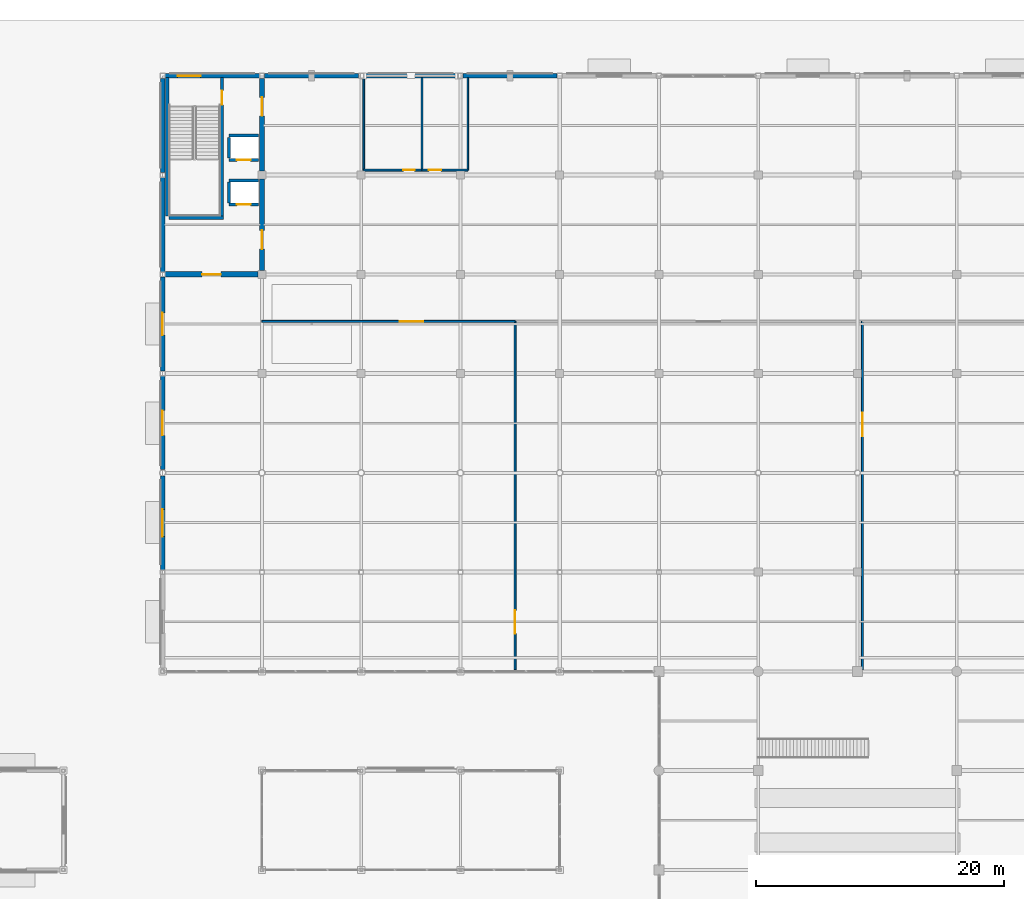
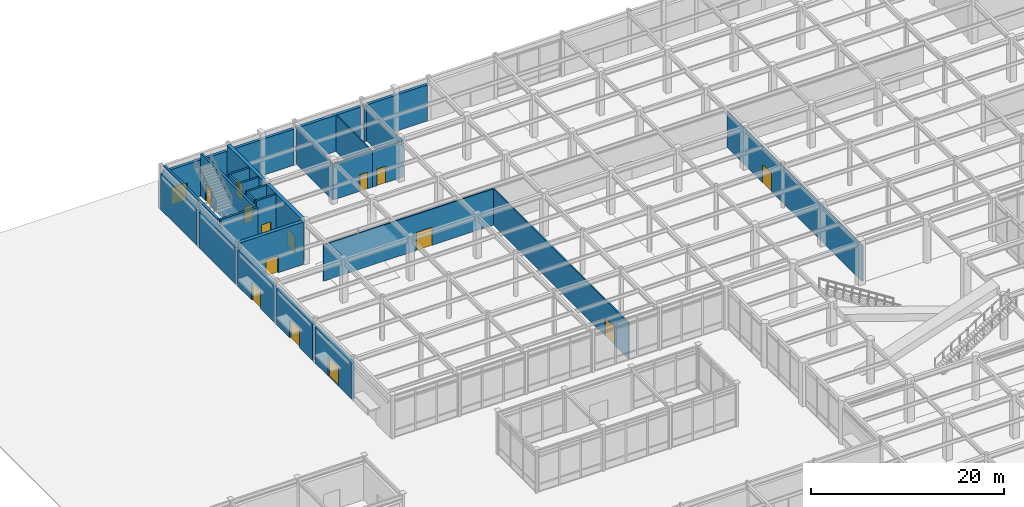
# One storey, part 104 of 128: 29 walls, 15 doors, 15 openings.
"""IFC4 building model written with IfcOpenShell, lengths in metres."""

from ifc_helpers import new_model, si_unit, direction, frame, frame_2d, origin, place, context, subcontext, project, spatial, rectangle, extrude, material, layer, layer_set, type_object, element, fill, save


model = new_model("IFC4")

# Units and contexts
model_context = context("Model", 3, precision=1e-05, world=origin(), true_north=direction((0.0, 1.0)))
body_context = subcontext(model_context, "Body", "Model", "MODEL_VIEW")
ifc_project = project(units=[si_unit("LENGTHUNIT", "METRE"), si_unit("AREAUNIT", "SQUARE_METRE"), si_unit("VOLUMEUNIT", "CUBIC_METRE"), si_unit("PLANEANGLEUNIT", "RADIAN"), si_unit("MASSUNIT", "GRAM", prefix="KILO")], contexts=[model_context])

# Site, building, storey
site_placement = place(None, origin())
site = spatial("IfcSite", under=ifc_project, at=site_placement, CompositionType="ELEMENT")
building_placement = place(site_placement, origin())
building = spatial("IfcBuilding", under=site, at=building_placement, Name="Solmirada Galleria", CompositionType="ELEMENT")
storey_placement = place(building_placement, origin())
storey = spatial("IfcBuildingStorey", under=building, at=storey_placement, Name="L00", CompositionType="ELEMENT", Elevation=0.0)

# Wall, opening, door
ifc_material_1 = material(Name="Concrete C40/50", Category="concrete")
ifc_layer_1 = layer(ifc_material_1, 0.419921875)
ifc_layer_set_1 = layer_set([ifc_layer_1], Name="Concrete C40/50")
wall_type_1 = type_object("IfcWallType", Name="WL-CORE-420", PredefinedType="SHEAR", material=ifc_layer_set_1)
wall_1_placement = place(storey_placement, frame((40.202880859375, 104.0, 0.0), z_axis=(0.0, 0.0, 1.0), x_axis=(1.0, 0.0, 0.0)))
wall_1 = element("IfcWall", 1, at=wall_1_placement, inside=storey, type_object=wall_type_1, Name="Core C1 shear wall L00 S1", PredefinedType="SHEAR", context=body_context, shape_type="SweptSolid", body=[
    extrude(rectangle(XDim=7.47216796875, YDim=0.419921875, at=frame_2d((3.736083984375, 0.0))), origin(), (0.0, 0.0, 1.0), 5.3798828125),
])
opening_1_placement = place(wall_1_placement, frame((2.986083984375, 0.0, 0.0)))
opening_1 = element("IfcOpeningElement", 2, at=opening_1_placement, cuts=wall_1, Name="Opening LDY-106", PredefinedType="OPENING", context=body_context, shape_type="SweptSolid", body=[
    extrude(rectangle(XDim=1.5, YDim=2.14990234375, at=frame_2d((0.75, 1.074951171875))), frame((0.0, 0.219970703125, 0.0), z_axis=(0.0, -1.0, 0.0), x_axis=(1.0, 0.0, 0.0)), (0.0, 0.0, 1.0), 0.43994140625),
])
ifc_material_2 = material(Name="Fire-rated painted steel door assembly", Category="steel")
door_type_1 = type_object("IfcDoorType", Name="DR-LOBBY-150X215", OperationType="DOUBLE_DOOR_SINGLE_SWING", PredefinedType="DOOR", material=ifc_material_2)
door_1_placement = place(opening_1_placement, origin())
door_1 = element("IfcDoor", 3, at=door_1_placement, inside=storey, type_object=door_type_1, Name="Core C1 lobby access fire door LDY-106", OperationType="DOUBLE_DOOR_SINGLE_SWING", OverallHeight=2.14990234375, OverallWidth=1.5, PredefinedType="DOOR", context=body_context, shape_type="SweptSolid", body=[
    extrude(rectangle(XDim=1.5, YDim=2.14990234375, at=frame_2d((0.75, 1.074951171875))), frame((0.0, 0.02490234375, 0.0), z_axis=(0.0, -1.0, 0.0), x_axis=(1.0, 0.0, 0.0)), (0.0, 0.0, 1.0), 0.050048828125),
])
fill(opening_1, door_1)

wall_2_placement = place(storey_placement, frame((48.0, 104.324951171875, 0.0), z_axis=(0.0, 0.0, 1.0), x_axis=(0.0, 1.0, 0.0)))
wall_2 = element("IfcWall", 4, at=wall_2_placement, inside=storey, type_object=wall_type_1, Name="Core C1 shear wall L00 E1", PredefinedType="SHEAR", context=body_context, shape_type="SweptSolid", body=[
    extrude(rectangle(XDim=7.35009765625, YDim=0.419921875, at=frame_2d((3.675048828125, 0.0))), origin(), (0.0, 0.0, 1.0), 5.3798828125),
])
opening_2_placement = place(wall_2_placement, frame((1.7119140625, 0.0, 0.0)))
opening_2 = element("IfcOpeningElement", 5, at=opening_2_placement, cuts=wall_2, Name="Opening LDY-107", PredefinedType="OPENING", context=body_context, shape_type="SweptSolid", body=[
    extrude(rectangle(XDim=1.5, YDim=2.14990234375, at=frame_2d((0.75, 1.074951171875))), frame((0.0, 0.219970703125, 0.0), z_axis=(0.0, -1.0, 0.0), x_axis=(1.0, 0.0, 0.0)), (0.0, 0.0, 1.0), 0.43994140625),
])
door_2_placement = place(opening_2_placement, origin())
door_2 = element("IfcDoor", 6, at=door_2_placement, inside=storey, type_object=door_type_1, Name="Core C1 lobby access fire door LDY-107", OperationType="DOUBLE_DOOR_SINGLE_SWING", OverallHeight=2.14990234375, OverallWidth=1.5, PredefinedType="DOOR", context=body_context, shape_type="SweptSolid", body=[
    extrude(rectangle(XDim=1.5, YDim=2.14990234375, at=frame_2d((0.75, 1.074951171875))), frame((0.0, 0.02490234375, 0.0), z_axis=(0.0, -1.0, 0.0), x_axis=(1.0, 0.0, 0.0)), (0.0, 0.0, 1.0), 0.050048828125),
])
fill(opening_2, door_2)

wall_3_placement = place(storey_placement, frame((48.0, 112.324951171875, 0.0), z_axis=(0.0, 0.0, 1.0), x_axis=(0.0, 1.0, 0.0)))
wall_3 = element("IfcWall", 7, at=wall_3_placement, inside=storey, type_object=wall_type_1, Name="Core C1 shear wall L00 E2", PredefinedType="SHEAR", context=body_context, shape_type="SweptSolid", body=[
    extrude(rectangle(XDim=7.47216796875, YDim=0.419921875, at=frame_2d((3.736083984375, 0.0))), origin(), (0.0, 0.0, 1.0), 5.3798828125),
])
opening_3_placement = place(wall_3_placement, frame((4.447998046875, 0.0, 0.0)))
opening_3 = element("IfcOpeningElement", 8, at=opening_3_placement, cuts=wall_3, Name="Opening LDY-108", PredefinedType="OPENING", context=body_context, shape_type="SweptSolid", body=[
    extrude(rectangle(XDim=1.5, YDim=2.14990234375, at=frame_2d((0.75, 1.074951171875))), frame((0.0, 0.219970703125, 0.0), z_axis=(0.0, -1.0, 0.0), x_axis=(1.0, 0.0, 0.0)), (0.0, 0.0, 1.0), 0.43994140625),
])
door_3_placement = place(opening_3_placement, origin())
door_3 = element("IfcDoor", 9, at=door_3_placement, inside=storey, type_object=door_type_1, Name="Core C1 lobby access fire door LDY-108", OperationType="DOUBLE_DOOR_SINGLE_SWING", OverallHeight=2.14990234375, OverallWidth=1.5, PredefinedType="DOOR", context=body_context, shape_type="SweptSolid", body=[
    extrude(rectangle(XDim=1.5, YDim=2.14990234375, at=frame_2d((0.75, 1.074951171875))), frame((0.0, 0.02490234375, 0.0), z_axis=(0.0, -1.0, 0.0), x_axis=(1.0, 0.0, 0.0)), (0.0, 0.0, 1.0), 0.050048828125),
])
fill(opening_3, door_3)

ifc_material_3 = material(Name="Precast concrete C40/50", Category="concrete")
ifc_layer_2 = layer(ifc_material_3, 0.340087890625)
ifc_layer_set_2 = layer_set([ifc_layer_2], Name="Precast concrete C40/50")
wall_type_2 = type_object("IfcWallType", Name="WL-EXT-340", PredefinedType="STANDARD", material=ifc_layer_set_2)
wall_4_placement = place(storey_placement, frame((40.0, 80.177978515625, 0.0), z_axis=(0.0, 0.0, 1.0), x_axis=(0.0, 1.0, 0.0)))
wall_4 = element("IfcWall", 10, at=wall_4_placement, inside=storey, type_object=wall_type_2, Name="Exterior wall L00 bay 011", PredefinedType="STANDARD", context=body_context, shape_type="SweptSolid", body=[
    extrude(rectangle(XDim=7.568115234375, YDim=0.340087890625, at=frame_2d((3.7841796875, 0.0))), origin(), (0.0, 0.0, 1.0), 4.580078125),
])
opening_4_placement = place(wall_4_placement, frame((2.68408203125, 0.0, 0.0)))
opening_4 = element("IfcOpeningElement", 11, at=opening_4_placement, cuts=wall_4, Name="Opening ED-003", PredefinedType="OPENING", context=body_context, shape_type="SweptSolid", body=[
    extrude(rectangle(XDim=2.199951171875, YDim=2.449951171875, at=frame_2d((1.10009765625, 1.22509765625))), frame((0.0, 0.179931640625, 0.0), z_axis=(0.0, -1.0, 0.0), x_axis=(1.0, 0.0, 0.0)), (0.0, 0.0, 1.0), 0.360107421875),
])
ifc_material_4 = material(Name="Thermally broken aluminium and laminated glass door", Category="aluminium")
door_type_2 = type_object("IfcDoorType", Name="DR-ENT-220X245", OperationType="DOUBLE_DOOR_SINGLE_SWING", PredefinedType="DOOR", material=ifc_material_4)
door_4_placement = place(opening_4_placement, origin())
door_4 = element("IfcDoor", 12, at=door_4_placement, inside=storey, type_object=door_type_2, Name="Public avenue entrance door ED-003", OperationType="DOUBLE_DOOR_SINGLE_SWING", OverallHeight=2.449951171875, OverallWidth=2.199951171875, PredefinedType="DOOR", context=body_context, shape_type="SweptSolid", body=[
    extrude(rectangle(XDim=2.199951171875, YDim=2.449951171875, at=frame_2d((1.10009765625, 1.22509765625))), frame((0.0, 0.02490234375, 0.0), z_axis=(0.0, -1.0, 0.0), x_axis=(1.0, 0.0, 0.0)), (0.0, 0.0, 1.0), 0.050048828125),
])
fill(opening_4, door_4)

wall_5_placement = place(storey_placement, frame((40.0, 88.25390625, 0.0), z_axis=(0.0, 0.0, 1.0), x_axis=(0.0, 1.0, 0.0)))
wall_5 = element("IfcWall", 13, at=wall_5_placement, inside=storey, type_object=wall_type_2, Name="Exterior wall L00 bay 012", PredefinedType="STANDARD", context=body_context, shape_type="SweptSolid", body=[
    extrude(rectangle(XDim=7.543212890625, YDim=0.340087890625, at=frame_2d((3.771484375, 0.0))), origin(), (0.0, 0.0, 1.0), 4.580078125),
])
opening_5_placement = place(wall_5_placement, frame((2.77099609375, 0.0, 0.0)))
opening_5 = element("IfcOpeningElement", 14, at=opening_5_placement, cuts=wall_5, Name="Opening ED-004", PredefinedType="OPENING", context=body_context, shape_type="SweptSolid", body=[
    extrude(rectangle(XDim=2.0, YDim=2.35009765625, at=frame_2d((1.0, 1.175048828125))), frame((0.0, 0.179931640625, 0.0), z_axis=(0.0, -1.0, 0.0), x_axis=(1.0, 0.0, 0.0)), (0.0, 0.0, 1.0), 0.360107421875),
])
door_type_3 = type_object("IfcDoorType", Name="DR-ENT-200X235", OperationType="DOUBLE_DOOR_SINGLE_SWING", PredefinedType="DOOR", material=ifc_material_4)
door_5_placement = place(opening_5_placement, origin())
door_5 = element("IfcDoor", 15, at=door_5_placement, inside=storey, type_object=door_type_3, Name="Public avenue entrance door ED-004", OperationType="DOUBLE_DOOR_SINGLE_SWING", OverallHeight=2.35009765625, OverallWidth=2.0, PredefinedType="DOOR", context=body_context, shape_type="SweptSolid", body=[
    extrude(rectangle(XDim=2.0, YDim=2.35009765625, at=frame_2d((1.0, 1.175048828125))), frame((0.0, 0.02490234375, 0.0), z_axis=(0.0, -1.0, 0.0), x_axis=(1.0, 0.0, 0.0)), (0.0, 0.0, 1.0), 0.050048828125),
])
fill(opening_5, door_5)

wall_6_placement = place(storey_placement, frame((40.0, 96.202880859375, 0.0), z_axis=(0.0, 0.0, 1.0), x_axis=(0.0, 1.0, 0.0)))
wall_6 = element("IfcWall", 16, at=wall_6_placement, inside=storey, type_object=wall_type_2, Name="Exterior wall L00 bay 013", PredefinedType="STANDARD", context=body_context, shape_type="SweptSolid", body=[
    extrude(rectangle(XDim=7.59423828125, YDim=0.340087890625, at=frame_2d((3.797119140625, 0.0))), origin(), (0.0, 0.0, 1.0), 4.580078125),
])
opening_6_placement = place(wall_6_placement, frame((2.89697265625, 0.0, 0.0)))
opening_6 = element("IfcOpeningElement", 17, at=opening_6_placement, cuts=wall_6, Name="Opening ED-005", PredefinedType="OPENING", context=body_context, shape_type="SweptSolid", body=[
    extrude(rectangle(XDim=1.800048828125, YDim=2.300048828125, at=frame_2d((0.89990234375, 1.14990234375))), frame((0.0, 0.179931640625, 0.0), z_axis=(0.0, -1.0, 0.0), x_axis=(1.0, 0.0, 0.0)), (0.0, 0.0, 1.0), 0.360107421875),
])
door_type_4 = type_object("IfcDoorType", Name="DR-ENT-180X230", OperationType="DOUBLE_DOOR_SINGLE_SWING", PredefinedType="DOOR", material=ifc_material_4)
door_6_placement = place(opening_6_placement, origin())
door_6 = element("IfcDoor", 18, at=door_6_placement, inside=storey, type_object=door_type_4, Name="Public avenue entrance door ED-005", OperationType="DOUBLE_DOOR_SINGLE_SWING", OverallHeight=2.300048828125, OverallWidth=1.800048828125, PredefinedType="DOOR", context=body_context, shape_type="SweptSolid", body=[
    extrude(rectangle(XDim=1.800048828125, YDim=2.300048828125, at=frame_2d((0.89990234375, 1.14990234375))), frame((0.0, 0.02490234375, 0.0), z_axis=(0.0, -1.0, 0.0), x_axis=(1.0, 0.0, 0.0)), (0.0, 0.0, 1.0), 0.050048828125),
])
fill(opening_6, door_6)

# Walls
for number, where, z_axis, x_axis, name in (
    (19, (40.0, 104.202880859375, 0.0), (0.0, 0.0, 1.0), (0.0, 1.0, 0.0), "Exterior wall L00 bay 014"),
    (20, (40.0, 112.202880859375, 0.0), (0.0, 0.0, 1.0), (0.0, 1.0, 0.0), "Exterior wall L00 bay 015"),
):
    element("IfcWall", number, at=place(storey_placement, frame(where, z_axis=z_axis, x_axis=x_axis)), inside=storey, type_object=wall_type_2, Name=name, PredefinedType="STANDARD", context=body_context, shape_type="SweptSolid", body=[
        extrude(rectangle(XDim=7.59423828125, YDim=0.340087890625, at=frame_2d((3.797119140625, 0.0))), origin(), (0.0, 0.0, 1.0), 4.580078125),
    ])

# Wall, opening, door
wall_7_placement = place(storey_placement, frame((40.202880859375, 120.0, 0.0), z_axis=(0.0, 0.0, 1.0), x_axis=(1.0, 0.0, 0.0)))
wall_7 = element("IfcWall", 21, at=wall_7_placement, inside=storey, type_object=wall_type_2, Name="Exterior wall L00 bay 016", PredefinedType="STANDARD", context=body_context, shape_type="SweptSolid", body=[
    extrude(rectangle(XDim=7.59423828125, YDim=0.340087890625, at=frame_2d((3.797119140625, 0.0))), origin(), (0.0, 0.0, 1.0), 4.580078125),
])
opening_7_placement = place(wall_7_placement, frame((1.0, 0.0, 0.0)))
opening_7 = element("IfcOpeningElement", 22, at=opening_7_placement, cuts=wall_7, Name="Opening ED-006", PredefinedType="OPENING", context=body_context, shape_type="SweptSolid", body=[
    extrude(rectangle(XDim=1.85009765625, YDim=2.199951171875, at=frame_2d((0.925048828125, 1.10009765625))), frame((0.0, 0.179931640625, 0.0), z_axis=(0.0, -1.0, 0.0), x_axis=(1.0, 0.0, 0.0)), (0.0, 0.0, 1.0), 0.360107421875),
])
ifc_material_5 = material(Name="Painted galvanized steel door assembly", Category="steel")
door_type_5 = type_object("IfcDoorType", Name="DR-EXIT-185X220", OperationType="DOUBLE_DOOR_SINGLE_SWING", PredefinedType="DOOR", material=ifc_material_5)
door_7_placement = place(opening_7_placement, origin())
door_7 = element("IfcDoor", 23, at=door_7_placement, inside=storey, type_object=door_type_5, Name="Exit stair ST1 exterior discharge door ED-006", OperationType="DOUBLE_DOOR_SINGLE_SWING", OverallHeight=2.199951171875, OverallWidth=1.85009765625, PredefinedType="DOOR", context=body_context, shape_type="SweptSolid", body=[
    extrude(rectangle(XDim=1.85009765625, YDim=2.199951171875, at=frame_2d((0.925048828125, 1.10009765625))), frame((0.0, 0.02490234375, 0.0), z_axis=(0.0, -1.0, 0.0), x_axis=(1.0, 0.0, 0.0)), (0.0, 0.0, 1.0), 0.050048828125),
])
fill(opening_7, door_7)

# Walls
for number, where, z_axis, x_axis, name in (
    (24, (48.202880859375, 120.0, 0.0), (0.0, 0.0, 1.0), (1.0, 0.0, 0.0), "Exterior wall L00 bay 017"),
    (25, (64.202880859375, 120.0, 0.0), (0.0, 0.0, 1.0), (1.0, 0.0, 0.0), "Exterior wall L00 bay 019"),
):
    element("IfcWall", number, at=place(storey_placement, frame(where, z_axis=z_axis, x_axis=x_axis)), inside=storey, type_object=wall_type_2, Name=name, PredefinedType="STANDARD", context=body_context, shape_type="SweptSolid", body=[
        extrude(rectangle(XDim=7.59423828125, YDim=0.340087890625, at=frame_2d((3.797119140625, 0.0))), origin(), (0.0, 0.0, 1.0), 4.580078125),
    ])

# Wall, opening, door
ifc_layer_3 = layer(ifc_material_1, 0.239990234375)
ifc_layer_set_3 = layer_set([ifc_layer_3], Name="Concrete C40/50")
wall_type_3 = type_object("IfcWallType", Name="WL-HOIST-240", PredefinedType="PARTITIONING", material=ifc_layer_set_3)
wall_8_placement = place(storey_placement, frame((45.344970703125, 113.219970703125, 0.0), z_axis=(0.0, 0.0, 1.0), x_axis=(1.0, 0.0, 0.0)))
wall_8 = element("IfcWall", 26, at=wall_8_placement, inside=storey, type_object=wall_type_3, Name="Lift LP1 hoistway front wall L00", PredefinedType="PARTITIONING", context=body_context, shape_type="SweptSolid", body=[
    extrude(rectangle(XDim=2.375, YDim=0.239990234375, at=frame_2d((1.1875, 0.0))), origin(), (0.0, 0.0, 1.0), 5.3798828125),
])
opening_8_placement = place(wall_8_placement, frame((0.636962890625, 0.0, 0.0)))
opening_8 = element("IfcOpeningElement", 27, at=opening_8_placement, cuts=wall_8, Name="Opening LD-LP1-L00", PredefinedType="OPENING", context=body_context, shape_type="SweptSolid", body=[
    extrude(rectangle(XDim=1.10009765625, YDim=2.14990234375, at=frame_2d((0.550048828125, 1.074951171875))), frame((0.0, 0.1298828125, 0.0), z_axis=(0.0, -1.0, 0.0), x_axis=(1.0, 0.0, 0.0)), (0.0, 0.0, 1.0), 0.260009765625),
])
ifc_material_6 = material(Name="Brushed stainless-steel sliding landing door", Category="steel")
door_type_6 = type_object("IfcDoorType", Name="DR-LIFT-110X215", OperationType="SLIDING_TO_LEFT", PredefinedType="DOOR", material=ifc_material_6)
door_8_placement = place(opening_8_placement, origin())
door_8 = element("IfcDoor", 28, at=door_8_placement, inside=storey, type_object=door_type_6, Name="Lift LP1 sliding landing door L00", OperationType="SLIDING_TO_LEFT", OverallHeight=2.14990234375, OverallWidth=1.10009765625, PredefinedType="DOOR", context=body_context, shape_type="SweptSolid", body=[
    extrude(rectangle(XDim=1.10009765625, YDim=2.14990234375, at=frame_2d((0.550048828125, 1.074951171875))), frame((0.0, 0.02490234375, 0.0), z_axis=(0.0, -1.0, 0.0), x_axis=(1.0, 0.0, 0.0)), (0.0, 0.0, 1.0), 0.050048828125),
])
fill(opening_8, door_8)

# Walls
wall_9_placement = place(storey_placement, frame((45.344970703125, 115.179931640625, 0.0), z_axis=(0.0, 0.0, 1.0), x_axis=(1.0, 0.0, 0.0)))
element("IfcWall", 29, at=wall_9_placement, inside=storey, type_object=wall_type_3, Name="Lift LP1 hoistway rear wall L00", PredefinedType="PARTITIONING", context=body_context, shape_type="SweptSolid", body=[
    extrude(rectangle(XDim=2.375, YDim=0.239990234375, at=frame_2d((1.1875, 0.0))), origin(), (0.0, 0.0, 1.0), 5.3798828125),
])
wall_10_placement = place(storey_placement, frame((45.344970703125, 113.360107421875, 0.0), z_axis=(0.0, 0.0, 1.0), x_axis=(0.0, 1.0, 0.0)))
element("IfcWall", 30, at=wall_10_placement, inside=storey, type_object=wall_type_3, Name="Lift LP1 hoistway side wall L L00", PredefinedType="PARTITIONING", context=body_context, shape_type="SweptSolid", body=[
    extrude(rectangle(XDim=1.679931640625, YDim=0.239990234375, at=frame_2d((0.83984375, 0.0))), origin(), (0.0, 0.0, 1.0), 5.3798828125),
])

# Wall, opening, door
wall_11_placement = place(storey_placement, frame((45.344970703125, 109.6201171875, 0.0), z_axis=(0.0, 0.0, 1.0), x_axis=(1.0, 0.0, 0.0)))
wall_11 = element("IfcWall", 31, at=wall_11_placement, inside=storey, type_object=wall_type_3, Name="Lift LP2 hoistway front wall L00", PredefinedType="PARTITIONING", context=body_context, shape_type="SweptSolid", body=[
    extrude(rectangle(XDim=2.375, YDim=0.239990234375, at=frame_2d((1.1875, 0.0))), origin(), (0.0, 0.0, 1.0), 5.3798828125),
])
opening_9_placement = place(wall_11_placement, frame((0.636962890625, 0.0, 0.0)))
opening_9 = element("IfcOpeningElement", 32, at=opening_9_placement, cuts=wall_11, Name="Opening LD-LP2-L00", PredefinedType="OPENING", context=body_context, shape_type="SweptSolid", body=[
    extrude(rectangle(XDim=1.10009765625, YDim=2.14990234375, at=frame_2d((0.550048828125, 1.074951171875))), frame((0.0, 0.1298828125, 0.0), z_axis=(0.0, -1.0, 0.0), x_axis=(1.0, 0.0, 0.0)), (0.0, 0.0, 1.0), 0.260009765625),
])
door_9_placement = place(opening_9_placement, origin())
door_9 = element("IfcDoor", 33, at=door_9_placement, inside=storey, type_object=door_type_6, Name="Lift LP2 sliding landing door L00", OperationType="SLIDING_TO_LEFT", OverallHeight=2.14990234375, OverallWidth=1.10009765625, PredefinedType="DOOR", context=body_context, shape_type="SweptSolid", body=[
    extrude(rectangle(XDim=1.10009765625, YDim=2.14990234375, at=frame_2d((0.550048828125, 1.074951171875))), frame((0.0, 0.02490234375, 0.0), z_axis=(0.0, -1.0, 0.0), x_axis=(1.0, 0.0, 0.0)), (0.0, 0.0, 1.0), 0.050048828125),
])
fill(opening_9, door_9)

# Walls
wall_12_placement = place(storey_placement, frame((45.344970703125, 111.580078125, 0.0), z_axis=(0.0, 0.0, 1.0), x_axis=(1.0, 0.0, 0.0)))
element("IfcWall", 34, at=wall_12_placement, inside=storey, type_object=wall_type_3, Name="Lift LP2 hoistway rear wall L00", PredefinedType="PARTITIONING", context=body_context, shape_type="SweptSolid", body=[
    extrude(rectangle(XDim=2.375, YDim=0.239990234375, at=frame_2d((1.1875, 0.0))), origin(), (0.0, 0.0, 1.0), 5.3798828125),
])
wall_13_placement = place(storey_placement, frame((45.344970703125, 109.760009765625, 0.0), z_axis=(0.0, 0.0, 1.0), x_axis=(0.0, 1.0, 0.0)))
element("IfcWall", 35, at=wall_13_placement, inside=storey, type_object=wall_type_3, Name="Lift LP2 hoistway side wall L L00", PredefinedType="PARTITIONING", context=body_context, shape_type="SweptSolid", body=[
    extrude(rectangle(XDim=1.679931640625, YDim=0.239990234375, at=frame_2d((0.83984375, 0.0))), origin(), (0.0, 0.0, 1.0), 5.3798828125),
])
ifc_material_7 = material(Name="Acoustic gypsum board partition")
ifc_layer_4 = layer(ifc_material_7, 0.135009765625)
ifc_layer_set_4 = layer_set([ifc_layer_4], Name="Acoustic gypsum board partition")
wall_type_4 = type_object("IfcWallType", Name="WL-PART-135", PredefinedType="PARTITIONING", material=ifc_layer_set_4)
for number, where, z_axis, x_axis, name in (
    (36, (56.199951171875, 112.39990234375, 0.0), (0.0, 0.0, 1.0), (0.0, 1.0, 0.0), "Partition L00-012 (North WC West)"),
    (37, (60.89990234375, 112.39990234375, 0.0), (0.0, 0.0, 1.0), (0.0, 1.0, 0.0), "Partition L00-013 (North WC Divider)"),
    (38, (64.60009765625, 112.39990234375, 0.0), (0.0, 0.0, 1.0), (0.0, 1.0, 0.0), "Partition L00-014 (North WC East)"),
):
    element("IfcWall", number, at=place(storey_placement, frame(where, z_axis=z_axis, x_axis=x_axis)), inside=storey, type_object=wall_type_4, Name=name, PredefinedType="PARTITIONING", context=body_context, shape_type="SweptSolid", body=[
        extrude(rectangle(XDim=7.4501953125, YDim=0.135009765625, at=frame_2d((3.72509765625, 0.0))), origin(), (0.0, 0.0, 1.0), 4.580078125),
    ])

# Wall, opening, door
ifc_layer_5 = layer(ifc_material_7, 0.159912109375)
ifc_layer_set_5 = layer_set([ifc_layer_5], Name="Acoustic gypsum board partition")
wall_type_5 = type_object("IfcWallType", Name="WL-PART-160", PredefinedType="PARTITIONING", material=ifc_layer_set_5)
wall_14_placement = place(storey_placement, frame((56.199951171875, 112.39990234375, 0.0), z_axis=(0.0, 0.0, 1.0), x_axis=(1.0, 0.0, 0.0)))
wall_14 = element("IfcWall", 39, at=wall_14_placement, inside=storey, type_object=wall_type_5, Name="Partition L00-010 (North Restroom)", PredefinedType="PARTITIONING", context=body_context, shape_type="SweptSolid", body=[
    extrude(rectangle(XDim=4.699951171875, YDim=0.159912109375, at=frame_2d((2.35009765625, 0.0))), origin(), (0.0, 0.0, 1.0), 4.580078125),
])
opening_10_placement = place(wall_14_placement, frame((3.193115234375, 0.0, 0.0)))
opening_10 = element("IfcOpeningElement", 40, at=opening_10_placement, cuts=wall_14, Name="Opening ID-264", PredefinedType="OPENING", context=body_context, shape_type="SweptSolid", body=[
    extrude(rectangle(XDim=0.919921875, YDim=2.10009765625, at=frame_2d((0.4599609375, 1.050048828125))), frame((0.0, 0.08984375, 0.0), z_axis=(0.0, -1.0, 0.0), x_axis=(1.0, 0.0, 0.0)), (0.0, 0.0, 1.0), 0.179931640625),
])
ifc_material_8 = material(Name="Architectural hardwood veneer door", Category="wood")
door_type_7 = type_object("IfcDoorType", Name="DR-WC-092X210", OperationType="NOTDEFINED", PredefinedType="DOOR", material=ifc_material_8)
door_10_placement = place(opening_10_placement, origin())
door_10 = element("IfcDoor", 41, at=door_10_placement, inside=storey, type_object=door_type_7, Name="North Restroom door ID-264", OperationType="SINGLE_SWING_RIGHT", OverallHeight=2.10009765625, OverallWidth=0.919921875, PredefinedType="DOOR", context=body_context, shape_type="SweptSolid", body=[
    extrude(rectangle(XDim=0.919921875, YDim=2.10009765625, at=frame_2d((0.4599609375, 1.050048828125))), frame((0.0, 0.02490234375, 0.0), z_axis=(0.0, -1.0, 0.0), x_axis=(1.0, 0.0, 0.0)), (0.0, 0.0, 1.0), 0.050048828125),
])
fill(opening_10, door_10)

wall_15_placement = place(storey_placement, frame((60.89990234375, 112.39990234375, 0.0), z_axis=(0.0, 0.0, 1.0), x_axis=(1.0, 0.0, 0.0)))
wall_15 = element("IfcWall", 42, at=wall_15_placement, inside=storey, type_object=wall_type_5, Name="Partition L00-011 (North Accessible WC)", PredefinedType="PARTITIONING", context=body_context, shape_type="SweptSolid", body=[
    extrude(rectangle(XDim=3.7001953125, YDim=0.159912109375, at=frame_2d((1.85009765625, 0.0))), origin(), (0.0, 0.0, 1.0), 4.580078125),
])
opening_11_placement = place(wall_15_placement, frame((0.548095703125, 0.0, 0.0)))
opening_11 = element("IfcOpeningElement", 43, at=opening_11_placement, cuts=wall_15, Name="Opening ID-265", PredefinedType="OPENING", context=body_context, shape_type="SweptSolid", body=[
    extrude(rectangle(XDim=1.02001953125, YDim=2.10009765625, at=frame_2d((0.510009765625, 1.050048828125))), frame((0.0, 0.08984375, 0.0), z_axis=(0.0, -1.0, 0.0), x_axis=(1.0, 0.0, 0.0)), (0.0, 0.0, 1.0), 0.179931640625),
])
door_type_8 = type_object("IfcDoorType", Name="DR-AWC-102X210", OperationType="NOTDEFINED", PredefinedType="DOOR", material=ifc_material_8)
door_11_placement = place(opening_11_placement, origin())
door_11 = element("IfcDoor", 44, at=door_11_placement, inside=storey, type_object=door_type_8, Name="North Accessible WC door ID-265", OperationType="SINGLE_SWING_LEFT", OverallHeight=2.10009765625, OverallWidth=1.02001953125, PredefinedType="DOOR", context=body_context, shape_type="SweptSolid", body=[
    extrude(rectangle(XDim=1.02001953125, YDim=2.10009765625, at=frame_2d((0.510009765625, 1.050048828125))), frame((0.0, 0.02490234375, 0.0), z_axis=(0.0, -1.0, 0.0), x_axis=(1.0, 0.0, 0.0)), (0.0, 0.0, 1.0), 0.050048828125),
])
fill(opening_11, door_11)

wall_16_placement = place(storey_placement, frame((48.0, 100.199951171875, 0.0), z_axis=(0.0, 0.0, 1.0), x_axis=(1.0, 0.0, 0.0)))
wall_16 = element("IfcWall", 45, at=wall_16_placement, inside=storey, type_object=wall_type_5, Name="Partition L00-015 (North Promenade W L00)", PredefinedType="PARTITIONING", context=body_context, shape_type="SweptSolid", body=[
    extrude(rectangle(XDim=20.39990234375, YDim=0.159912109375, at=frame_2d((10.199951171875, 0.0))), origin(), (0.0, 0.0, 1.0), 4.580078125),
])
opening_12_placement = place(wall_16_placement, frame((11.091064453125, 0.0, 0.0)))
opening_12 = element("IfcOpeningElement", 46, at=opening_12_placement, cuts=wall_16, Name="Opening ID-266", PredefinedType="OPENING", context=body_context, shape_type="SweptSolid", body=[
    extrude(rectangle(XDim=1.89990234375, YDim=2.300048828125, at=frame_2d((0.949951171875, 1.14990234375))), frame((0.0, 0.08984375, 0.0), z_axis=(0.0, -1.0, 0.0), x_axis=(1.0, 0.0, 0.0)), (0.0, 0.0, 1.0), 0.179931640625),
])
door_type_9 = type_object("IfcDoorType", Name="DR-DEPT-190X230", OperationType="DOUBLE_DOOR_SINGLE_SWING", PredefinedType="DOOR", material=ifc_material_8)
door_12_placement = place(opening_12_placement, origin())
door_12 = element("IfcDoor", 47, at=door_12_placement, inside=storey, type_object=door_type_9, Name="North Promenade W L00 door ID-266", OperationType="DOUBLE_DOOR_SINGLE_SWING", OverallHeight=2.300048828125, OverallWidth=1.89990234375, PredefinedType="DOOR", context=body_context, shape_type="SweptSolid", body=[
    extrude(rectangle(XDim=1.89990234375, YDim=2.300048828125, at=frame_2d((0.949951171875, 1.14990234375))), frame((0.0, 0.02490234375, 0.0), z_axis=(0.0, -1.0, 0.0), x_axis=(1.0, 0.0, 0.0)), (0.0, 0.0, 1.0), 0.050048828125),
])
fill(opening_12, door_12)

wall_17_placement = place(storey_placement, frame((68.39990234375, 72.14990234375, 0.0), z_axis=(0.0, 0.0, 1.0), x_axis=(0.0, 1.0, 0.0)))
wall_17 = element("IfcWall", 48, at=wall_17_placement, inside=storey, type_object=wall_type_5, Name="Partition L00-018 (North Department W L00)", PredefinedType="PARTITIONING", context=body_context, shape_type="SweptSolid", body=[
    extrude(rectangle(XDim=28.050048828125, YDim=0.159912109375, at=frame_2d((14.02490234375, 0.0))), origin(), (0.0, 0.0, 1.0), 4.580078125),
])
opening_13_placement = place(wall_17_placement, frame((2.89501953125, 0.0, 0.0)))
opening_13 = element("IfcOpeningElement", 49, at=opening_13_placement, cuts=wall_17, Name="Opening ID-269", PredefinedType="OPENING", context=body_context, shape_type="SweptSolid", body=[
    extrude(rectangle(XDim=1.89990234375, YDim=2.300048828125, at=frame_2d((0.949951171875, 1.14990234375))), frame((0.0, 0.08984375, 0.0), z_axis=(0.0, -1.0, 0.0), x_axis=(1.0, 0.0, 0.0)), (0.0, 0.0, 1.0), 0.179931640625),
])
door_13_placement = place(opening_13_placement, origin())
door_13 = element("IfcDoor", 50, at=door_13_placement, inside=storey, type_object=door_type_9, Name="North Department W L00 door ID-269", OperationType="DOUBLE_DOOR_SINGLE_SWING", OverallHeight=2.300048828125, OverallWidth=1.89990234375, PredefinedType="DOOR", context=body_context, shape_type="SweptSolid", body=[
    extrude(rectangle(XDim=1.89990234375, YDim=2.300048828125, at=frame_2d((0.949951171875, 1.14990234375))), frame((0.0, 0.02490234375, 0.0), z_axis=(0.0, -1.0, 0.0), x_axis=(1.0, 0.0, 0.0)), (0.0, 0.0, 1.0), 0.050048828125),
])
fill(opening_13, door_13)

wall_18_placement = place(storey_placement, frame((96.39990234375, 72.14990234375, 0.0), z_axis=(0.0, 0.0, 1.0), x_axis=(0.0, 1.0, 0.0)))
wall_18 = element("IfcWall", 51, at=wall_18_placement, inside=storey, type_object=wall_type_5, Name="Partition L00-019 (North Department E L00)", PredefinedType="PARTITIONING", context=body_context, shape_type="SweptSolid", body=[
    extrude(rectangle(XDim=28.050048828125, YDim=0.159912109375, at=frame_2d((14.02490234375, 0.0))), origin(), (0.0, 0.0, 1.0), 4.580078125),
])
opening_14_placement = place(wall_18_placement, frame((18.801025390625, 0.0, 0.0)))
opening_14 = element("IfcOpeningElement", 52, at=opening_14_placement, cuts=wall_18, Name="Opening ID-270", PredefinedType="OPENING", context=body_context, shape_type="SweptSolid", body=[
    extrude(rectangle(XDim=1.89990234375, YDim=2.300048828125, at=frame_2d((0.949951171875, 1.14990234375))), frame((0.0, 0.08984375, 0.0), z_axis=(0.0, -1.0, 0.0), x_axis=(1.0, 0.0, 0.0)), (0.0, 0.0, 1.0), 0.179931640625),
])
door_14_placement = place(opening_14_placement, origin())
door_14 = element("IfcDoor", 53, at=door_14_placement, inside=storey, type_object=door_type_9, Name="North Department E L00 door ID-270", OperationType="DOUBLE_DOOR_SINGLE_SWING", OverallHeight=2.300048828125, OverallWidth=1.89990234375, PredefinedType="DOOR", context=body_context, shape_type="SweptSolid", body=[
    extrude(rectangle(XDim=1.89990234375, YDim=2.300048828125, at=frame_2d((0.949951171875, 1.14990234375))), frame((0.0, 0.02490234375, 0.0), z_axis=(0.0, -1.0, 0.0), x_axis=(1.0, 0.0, 0.0)), (0.0, 0.0, 1.0), 0.050048828125),
])
fill(opening_14, door_14)

# Walls
ifc_layer_6 = layer(ifc_material_1, 0.260009765625)
ifc_layer_set_6 = layer_set([ifc_layer_6], Name="Concrete C40/50")
wall_type_6 = type_object("IfcWallType", Name="WL-SHAFT-260", PredefinedType="SHEAR", material=ifc_layer_set_6)
wall_19_placement = place(storey_placement, frame((40.5, 108.570068359375, 0.0), z_axis=(0.0, 0.0, 1.0), x_axis=(1.0, 0.0, 0.0)))
element("IfcWall", 54, at=wall_19_placement, inside=storey, type_object=wall_type_6, Name="Stair ST1 enclosure wall L00 S", PredefinedType="SHEAR", context=body_context, shape_type="SweptSolid", body=[
    extrude(rectangle(XDim=4.409912109375, YDim=0.260009765625, at=frame_2d((2.205078125, 0.0))), origin(), (0.0, 0.0, 1.0), 5.3798828125),
])
wall_20_placement = place(storey_placement, frame((40.3701171875, 108.699951171875, 0.0), z_axis=(0.0, 0.0, 1.0), x_axis=(0.0, 1.0, 0.0)))
element("IfcWall", 55, at=wall_20_placement, inside=storey, type_object=wall_type_6, Name="Stair ST1 enclosure wall L00 W", PredefinedType="SHEAR", context=body_context, shape_type="SweptSolid", body=[
    extrude(rectangle(XDim=11.155029296875, YDim=0.260009765625, at=frame_2d((5.57763671875, 0.0))), origin(), (0.0, 0.0, 1.0), 5.3798828125),
])

# Wall, opening, door
wall_21_placement = place(storey_placement, frame((44.780029296875, 108.699951171875, 0.0), z_axis=(0.0, 0.0, 1.0), x_axis=(0.0, 1.0, 0.0)))
wall_21 = element("IfcWall", 56, at=wall_21_placement, inside=storey, type_object=wall_type_6, Name="Stair ST1 enclosure wall L00 E", PredefinedType="SHEAR", context=body_context, shape_type="SweptSolid", body=[
    extrude(rectangle(XDim=11.155029296875, YDim=0.260009765625, at=frame_2d((5.57763671875, 0.0))), origin(), (0.0, 0.0, 1.0), 5.3798828125),
])
opening_15_placement = place(wall_21_placement, frame((8.949951171875, 0.0, 0.0)))
opening_15 = element("IfcOpeningElement", 57, at=opening_15_placement, cuts=wall_21, Name="Opening SD-105", PredefinedType="OPENING", context=body_context, shape_type="SweptSolid", body=[
    extrude(rectangle(XDim=1.14990234375, YDim=2.14990234375, at=frame_2d((0.574951171875, 1.074951171875))), frame((0.0, 0.139892578125, 0.0), z_axis=(0.0, -1.0, 0.0), x_axis=(1.0, 0.0, 0.0)), (0.0, 0.0, 1.0), 0.280029296875),
])
door_type_10 = type_object("IfcDoorType", Name="DR-STAIR-115X215", OperationType="NOTDEFINED", PredefinedType="DOOR", material=ifc_material_2)
door_15_placement = place(opening_15_placement, origin())
door_15 = element("IfcDoor", 58, at=door_15_placement, inside=storey, type_object=door_type_10, Name="Exit stair ST1 enclosure fire door SD-105", OperationType="SINGLE_SWING_LEFT", OverallHeight=2.14990234375, OverallWidth=1.14990234375, PredefinedType="DOOR", context=body_context, shape_type="SweptSolid", body=[
    extrude(rectangle(XDim=1.14990234375, YDim=2.14990234375, at=frame_2d((0.574951171875, 1.074951171875))), frame((0.0, 0.02490234375, 0.0), z_axis=(0.0, -1.0, 0.0), x_axis=(1.0, 0.0, 0.0)), (0.0, 0.0, 1.0), 0.050048828125),
])
fill(opening_15, door_15)

# Wall
ifc_material_9 = material(Name="Architectural concrete masonry C30/37", Category="masonry")
ifc_layer_7 = layer(ifc_material_9, 0.360107421875)
ifc_layer_set_7 = layer_set([ifc_layer_7], Name="Architectural concrete masonry C30/37")
wall_type_7 = type_object("IfcWallType", Name="WL-SOLID-360", PredefinedType="SOLIDWALL", material=ifc_layer_set_7)
wall_22_placement = place(storey_placement, frame((56.202880859375, 120.0, 0.0), z_axis=(0.0, 0.0, 1.0), x_axis=(1.0, 0.0, 0.0)))
element("IfcWall", 59, at=wall_22_placement, inside=storey, type_object=wall_type_7, Name="Exterior wall L00 bay 018", PredefinedType="SOLIDWALL", context=body_context, shape_type="SweptSolid", body=[
    extrude(rectangle(XDim=7.59423828125, YDim=0.360107421875, at=frame_2d((3.797119140625, 0.0))), origin(), (0.0, 0.0, 1.0), 4.580078125),
])

save(model, "model.ifc")
